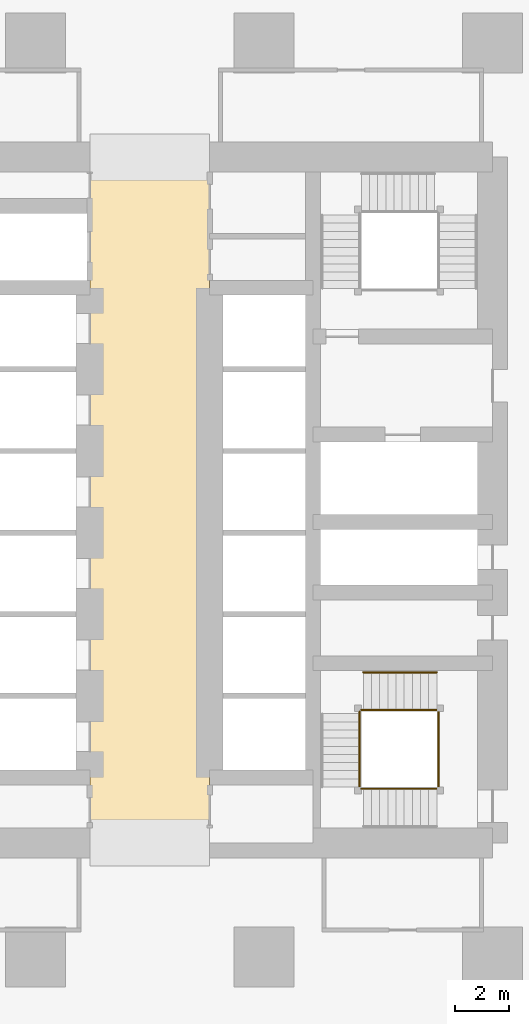
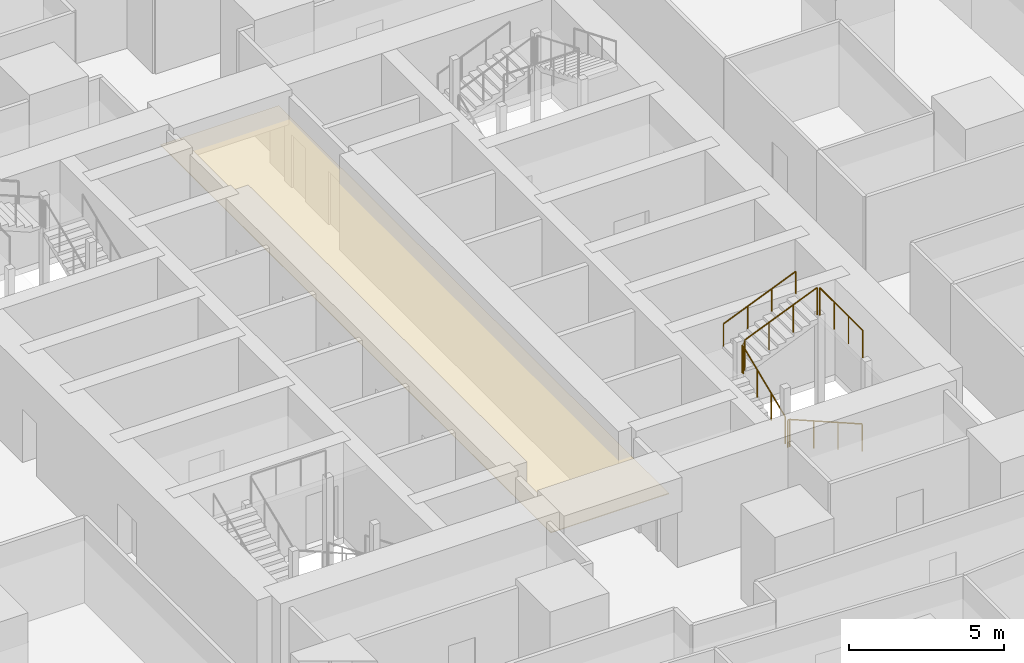
# One storey, part 39 of 44: 8 railings, 1 covering.
"""IFC4 building model written with IfcOpenShell, lengths in metres."""

from ifc_helpers import new_model, si_unit, direction, frame, origin, origin_2d, place, context, subcontext, project, spatial, polyline, circle, outline, extrude, material, layer, layer_set, type_object, element, save


model = new_model("IFC4")

# Units and contexts
model_context = context("Model", 3, precision=1e-05, world=origin(), true_north=direction((0.0, 1.0)))
body_context = subcontext(model_context, "Body", "Model", "MODEL_VIEW")
ifc_project = project(units=[si_unit("LENGTHUNIT", "METRE"), si_unit("AREAUNIT", "SQUARE_METRE"), si_unit("VOLUMEUNIT", "CUBIC_METRE"), si_unit("PLANEANGLEUNIT", "RADIAN"), si_unit("MASSUNIT", "GRAM", prefix="KILO")], contexts=[model_context])

# Site, building, storey
site_placement = place(None, origin())
site = spatial("IfcSite", under=ifc_project, at=site_placement, CompositionType="ELEMENT")
building_placement = place(site_placement, origin())
building = spatial("IfcBuilding", under=site, at=building_placement, Name="Rekha Terrace Tower", CompositionType="ELEMENT")
storey_placement = place(building_placement, frame((0.0, 0.0, 74.14990234375)))
storey = spatial("IfcBuildingStorey", under=building, at=storey_placement, Name="L18", CompositionType="ELEMENT", Elevation=74.14990234375)

# Covering
ifc_material_1 = material(Name="Powder-coated aluminium pan", Category="aluminium")
ifc_layer = layer(ifc_material_1, 0.030029296875)
ifc_layer_set = layer_set([ifc_layer], Name="Powder-coated aluminium pan")
covering_type = type_object("IfcCoveringType", Name="CL3 300x1200 metal pan ceiling", PredefinedType="CEILING", material=ifc_layer_set)
covering_placement = place(storey_placement, frame((0.0, 0.0, 2.570068359375)))
element("IfcCovering", 1, at=covering_placement, inside=storey, type_object=covering_type, Name="Ceiling L18-LOBBY", PredefinedType="CEILING", context=body_context, shape_type="SweptSolid", body=[
    extrude(outline(polyline([(40.0, 46.199951171875), (35.60009765625, 46.199951171875), (35.60009765625, 21.0), (40.0, 21.0), (40.0, 46.199951171875)])), origin(), (0.0, 0.0, 1.0), 0.030029296875),
])

# Railings
ifc_material_2 = material(Name="Stainless steel balustrade", Category="steel")
railing_type_1 = type_object("IfcRailingType", Name="GR1 1100 stair guard", PredefinedType="GUARDRAIL", material=ifc_material_2)
railing_1_placement = place(storey_placement, frame((48.35009765625, 22.989990234375, 0.125)))
element("IfcRailing", 2, at=railing_1_placement, inside=storey, type_object=railing_type_1, Name="Guard ST3 L18 flight 1", PredefinedType="GUARDRAIL", context=body_context, shape_type="SweptSolid", body=[
    extrude(circle(Radius=0.02392578125, at=origin_2d()), frame((0.0, 0.0, 1.076171875), z_axis=(-0.923086799901, 0.0, 0.38459167938), x_axis=(0.0, -1.0, 0.0)), (0.0, 0.0, 1.0), 2.92529296875),
    extrude(circle(Radius=0.02099609375, at=origin_2d()), origin(), (0.0, 0.0, 1.0), 1.052001953125),
    extrude(circle(Radius=0.02099609375, at=origin_2d()), frame((-0.900146484375, 0.0, 0.375)), (0.0, 0.0, 1.0), 1.052001953125),
    extrude(circle(Radius=0.02099609375, at=origin_2d()), frame((-1.800048828125, 0.0, 0.75)), (0.0, 0.0, 1.0), 1.052001953125),
    extrude(circle(Radius=0.02099609375, at=origin_2d()), frame((-2.7001953125, 0.0, 1.125)), (0.0, 0.0, 1.0), 1.052001953125),
])
railing_2_placement = place(storey_placement, frame((45.514892578125, 23.050048828125, 1.375)))
element("IfcRailing", 3, at=railing_2_placement, inside=storey, type_object=railing_type_1, Name="Guard ST3 L18 flight 2", PredefinedType="GUARDRAIL", context=body_context, shape_type="SweptSolid", body=[
    extrude(circle(Radius=0.02392578125, at=origin_2d()), frame((0.0, 0.0, 1.076171875), z_axis=(0.0, 0.923074453586, 0.384621311341), x_axis=(-1.0, 0.0, 0.0)), (0.0, 0.0, 1.0), 2.925048828125),
    extrude(circle(Radius=0.02099609375, at=origin_2d()), origin(), (0.0, 0.0, 1.0), 1.052001953125),
    extrude(circle(Radius=0.02099609375, at=origin_2d()), frame((0.0, 0.89990234375, 0.375)), (0.0, 0.0, 1.0), 1.052001953125),
    extrude(circle(Radius=0.02099609375, at=origin_2d()), frame((0.0, 1.800048828125, 0.75)), (0.0, 0.0, 1.0), 1.052001953125),
    extrude(circle(Radius=0.02099609375, at=origin_2d()), frame((0.0, 2.699951171875, 1.125)), (0.0, 0.0, 1.0), 1.052001953125),
])
railing_3_placement = place(storey_placement, frame((45.64990234375, 25.885009765625, 2.625)))
element("IfcRailing", 4, at=railing_3_placement, inside=storey, type_object=railing_type_1, Name="Guard ST3 L18 flight 3", PredefinedType="GUARDRAIL", context=body_context, shape_type="SweptSolid", body=[
    extrude(circle(Radius=0.02392578125, at=origin_2d()), frame((0.0, 0.0, 1.076171875), z_axis=(0.923086799901, 0.0, 0.38459167938), x_axis=(0.0, 1.0, 0.0)), (0.0, 0.0, 1.0), 2.92529296875),
    extrude(circle(Radius=0.02099609375, at=origin_2d()), origin(), (0.0, 0.0, 1.0), 1.052001953125),
    extrude(circle(Radius=0.02099609375, at=origin_2d()), frame((0.900146484375, 0.0, 0.375)), (0.0, 0.0, 1.0), 1.052001953125),
    extrude(circle(Radius=0.02099609375, at=origin_2d()), frame((1.800048828125, 0.0, 0.75)), (0.0, 0.0, 1.0), 1.052001953125),
    extrude(circle(Radius=0.02099609375, at=origin_2d()), frame((2.7001953125, 0.0, 1.125)), (0.0, 0.0, 1.0), 1.052001953125),
])
railing_4_placement = place(storey_placement, frame((45.64990234375, 22.989990234375, 1.25)))
element("IfcRailing", 5, at=railing_4_placement, inside=storey, type_object=railing_type_1, Name="Guard ST3 L18 landing 1", PredefinedType="GUARDRAIL", context=body_context, shape_type="SweptSolid", body=[
    extrude(circle(Radius=0.02392578125, at=origin_2d()), frame((0.0, 0.0, 1.076171875), z_axis=(-1.0, 0.0, 0.0), x_axis=(0.0, -1.0, 0.0)), (0.0, 0.0, 1.0), 0.074951171875),
    extrude(circle(Radius=0.02099609375, at=origin_2d()), origin(), (0.0, 0.0, 1.0), 1.052001953125),
    extrude(circle(Radius=0.02099609375, at=origin_2d()), frame((-0.074951171875, 0.0, 0.0)), (0.0, 0.0, 1.0), 1.052001953125),
])
railing_5_placement = place(storey_placement, frame((45.514892578125, 25.75, 2.5)))
element("IfcRailing", 6, at=railing_5_placement, inside=storey, type_object=railing_type_1, Name="Guard ST3 L18 landing 2", PredefinedType="GUARDRAIL", context=body_context, shape_type="SweptSolid", body=[
    extrude(circle(Radius=0.02392578125, at=origin_2d()), frame((0.0, 0.0, 1.076171875), z_axis=(0.0, 1.0, 0.0), x_axis=(-1.0, 0.0, 0.0)), (0.0, 0.0, 1.0), 0.074951171875),
    extrude(circle(Radius=0.02099609375, at=origin_2d()), origin(), (0.0, 0.0, 1.0), 1.052001953125),
    extrude(circle(Radius=0.02099609375, at=origin_2d()), frame((0.0, 0.074951171875, 0.0)), (0.0, 0.0, 1.0), 1.052001953125),
])
railing_6_placement = place(storey_placement, frame((45.64990234375, 25.885009765625, 2.5)))
element("IfcRailing", 7, at=railing_6_placement, inside=storey, type_object=railing_type_1, Name="Guard ST3 L18 landing 3", PredefinedType="GUARDRAIL", context=body_context, shape_type="SweptSolid", body=[
    extrude(circle(Radius=0.02392578125, at=origin_2d()), frame((0.0, 0.0, 1.076171875), z_axis=(-1.0, 0.0, 0.0), x_axis=(0.0, -1.0, 0.0)), (0.0, 0.0, 1.0), 0.074951171875),
    extrude(circle(Radius=0.02099609375, at=origin_2d()), origin(), (0.0, 0.0, 1.0), 1.052001953125),
    extrude(circle(Radius=0.02099609375, at=origin_2d()), frame((-0.074951171875, 0.0, 0.0)), (0.0, 0.0, 1.0), 1.052001953125),
])
railing_7_placement = place(storey_placement, frame((48.409912109375, 23.050048828125, 3.75)))
element("IfcRailing", 8, at=railing_7_placement, inside=storey, type_object=railing_type_1, Name="Guard ST3 L18 landing 4", PredefinedType="GUARDRAIL", context=body_context, shape_type="SweptSolid", body=[
    extrude(circle(Radius=0.02392578125, at=origin_2d()), frame((0.0, 0.0, 1.076171875), z_axis=(0.0, 1.0, 0.0), x_axis=(-1.0, 0.0, 0.0)), (0.0, 0.0, 1.0), 2.77490234375),
    extrude(circle(Radius=0.02099609375, at=origin_2d()), origin(), (0.0, 0.0, 1.0), 1.052001953125),
    extrude(circle(Radius=0.02099609375, at=origin_2d()), frame((0.0, 0.925048828125, 0.0)), (0.0, 0.0, 1.0), 1.052001953125),
    extrude(circle(Radius=0.02099609375, at=origin_2d()), frame((0.0, 1.849853515625, 0.0)), (0.0, 0.0, 1.0), 1.052001953125),
    extrude(circle(Radius=0.02099609375, at=origin_2d()), frame((0.0, 2.77490234375, 0.0)), (0.0, 0.0, 1.0), 1.052001953125),
])
ifc_material_3 = material(Name="Stainless steel tube", Category="steel")
railing_type_2 = type_object("IfcRailingType", Name="HR1 900 stair handrail", PredefinedType="HANDRAIL", material=ifc_material_3)
railing_8_placement = place(storey_placement, frame((45.64990234375, 27.264892578125, 2.625)))
element("IfcRailing", 9, at=railing_8_placement, inside=storey, type_object=railing_type_2, Name="Handrail ST3 L18 flight 3", PredefinedType="HANDRAIL", context=body_context, shape_type="SweptSolid", body=[
    extrude(circle(Radius=0.02392578125, at=origin_2d()), frame((0.0, 0.0, 0.8759765625), z_axis=(0.923086799901, 0.0, 0.38459167938), x_axis=(0.0, 1.0, 0.0)), (0.0, 0.0, 1.0), 2.92529296875),
    extrude(circle(Radius=0.02099609375, at=origin_2d()), origin(), (0.0, 0.0, 1.0), 0.851806640625),
    extrude(circle(Radius=0.02099609375, at=origin_2d()), frame((0.900146484375, 0.0, 0.375)), (0.0, 0.0, 1.0), 0.851806640625),
    extrude(circle(Radius=0.02099609375, at=origin_2d()), frame((1.800048828125, 0.0, 0.75)), (0.0, 0.0, 1.0), 0.851806640625),
    extrude(circle(Radius=0.02099609375, at=origin_2d()), frame((2.7001953125, 0.0, 1.125)), (0.0, 0.0, 1.0), 0.851806640625),
])

save(model, "model.ifc")
